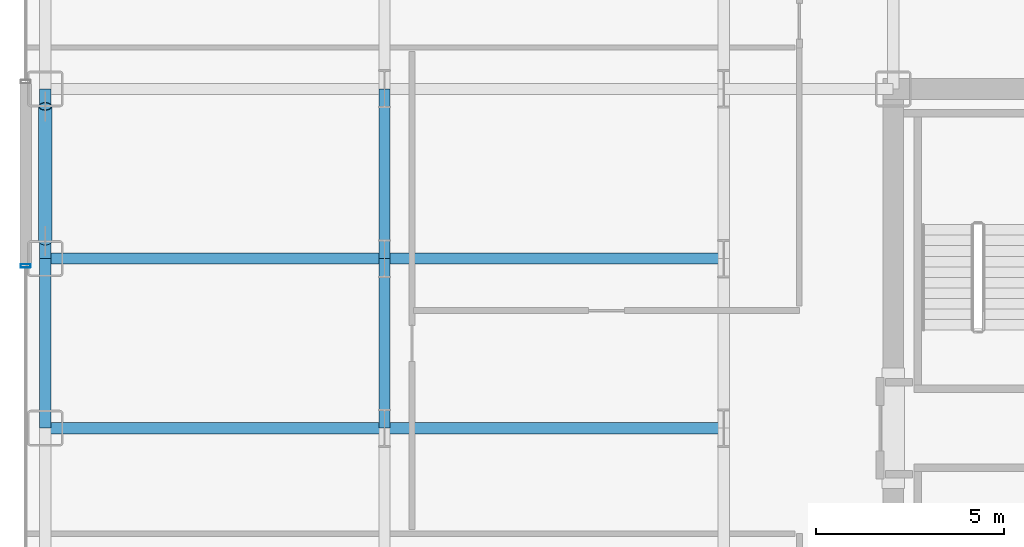
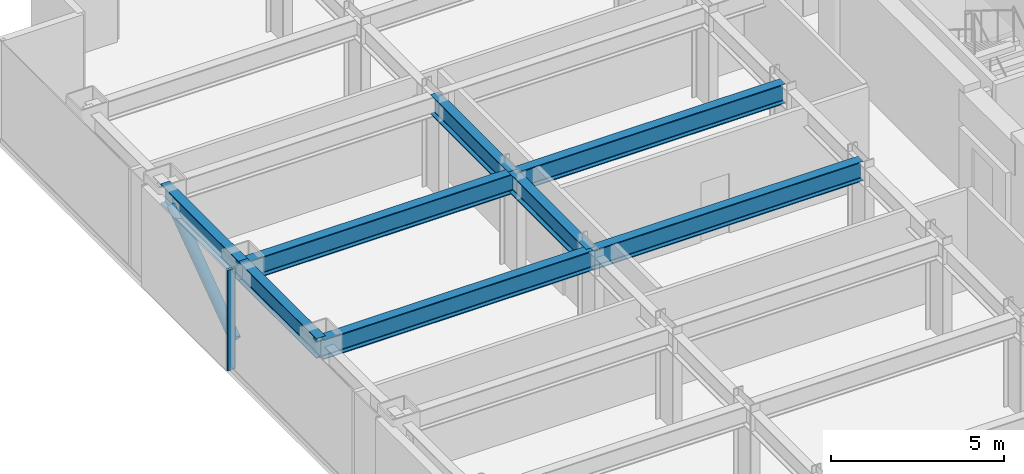
# One storey, part 6 of 28: 8 beams, 2 members, 1 element without a shape of its own.
"""IFC4 building model written with IfcOpenShell, lengths in metres."""

import ifcopenshell
import ifcopenshell.guid

model = None  # the IFC model being written
_history = None  # IfcOwnerHistory: only IFC2X3 demands one
_inside = {}  # id of a spatial element -> (the spatial element, [elements in it])
_under = {}  # id of a project, library or spatial element -> (it, [spatial elements below it])
_declared = {}  # id of a project -> (the project, [libraries it declares])
_typed = {}  # id of a type object -> (the type object, [elements of that type])
_made_of = {}  # id of a material, layer set ... -> (it, [elements and type objects made of it])


def new_model(schema):
    """Start an empty IFC model of exactly this schema.

    Asked for "IFC4X3", IfcOpenShell would pick the latest addendum, in which some entities
    have other attributes; the version numbers below select the first issue.
    IFC2X3 requires an IfcOwnerHistory on every rooted entity: one is made here for all.
    """
    global model, _history
    if schema == "IFC4X3":
        model = ifcopenshell.file(schema_version=(4, 3, 0, 0))
    else:
        model = ifcopenshell.file(schema=schema)
    _inside.clear()
    _under.clear()
    _declared.clear()
    _typed.clear()
    _made_of.clear()
    _history = None
    if model.schema == "IFC2X3":
        org = make("IfcOrganization", Name="unknown")
        user = make(
            "IfcPersonAndOrganization",
            ThePerson=make("IfcPerson", FamilyName="unknown"),
            TheOrganization=org,
        )
        app = make(
            "IfcApplication",
            ApplicationDeveloper=org,
            Version="unknown",
            ApplicationFullName="unknown",
            ApplicationIdentifier="unknown",
        )
        _history = make(
            "IfcOwnerHistory",
            OwningUser=user,
            OwningApplication=app,
            ChangeAction="ADDED",
            CreationDate=0,
        )
    return model


def make(cls, **values):
    """One entity of the class cls with the attributes given. An attribute that is None is left unset."""
    return model.create_entity(
        cls, **{name: value for name, value in values.items() if value is not None}
    )


def rooted(cls, **values):
    """An entity with a GlobalId (a new one), such as an element, a storey or a relation."""
    return make(cls, GlobalId=ifcopenshell.guid.new(), OwnerHistory=_history, **values)


def si_unit(unit_type, name, prefix=None):
    """IfcSIUnit, for example si_unit("LENGTHUNIT", "METRE", prefix="MILLI")."""
    return make("IfcSIUnit", UnitType=unit_type, Prefix=prefix, Name=name)


def assignment(units):
    """IfcUnitAssignment: the units of a project."""
    return None if units is None else make("IfcUnitAssignment", Units=units)


def point(xyz):
    """IfcCartesianPoint."""
    return None if xyz is None else make("IfcCartesianPoint", Coordinates=xyz)


def direction(xyz):
    """IfcDirection."""
    return None if xyz is None else make("IfcDirection", DirectionRatios=xyz)


def frame(location, z_axis=None, x_axis=None):
    """IfcAxis2Placement3D, a coordinate frame: its origin and axes. An axis left out is left unset."""
    return make(
        "IfcAxis2Placement3D",
        Location=point(location),
        Axis=direction(z_axis),
        RefDirection=direction(x_axis),
    )


def frame_2d(location, x_axis=None):
    """IfcAxis2Placement2D, a coordinate frame in the plane: its origin and x axis."""
    return make(
        "IfcAxis2Placement2D", Location=point(location), RefDirection=direction(x_axis)
    )


def origin():
    """The frame at (0, 0, 0) with its axes left unset."""
    return frame((0.0, 0.0, 0.0))


def origin_2d():
    """The frame at (0, 0) in the plane with its x axis left unset."""
    return frame_2d((0.0, 0.0))


def place(relative_to, where):
    """IfcLocalPlacement: puts the frame where relative to a parent placement (None: the world)."""
    return make(
        "IfcLocalPlacement", PlacementRelTo=relative_to, RelativePlacement=where
    )


def context(
    kind, dimensions, precision=None, world=None, true_north=None, identifier=None
):
    """IfcGeometricRepresentationContext, for example the 3D "Model" context."""
    return make(
        "IfcGeometricRepresentationContext",
        ContextIdentifier=identifier,
        ContextType=kind,
        CoordinateSpaceDimension=dimensions,
        Precision=precision,
        WorldCoordinateSystem=world,
        TrueNorth=true_north,
    )


def subcontext(parent, identifier, kind, view, scale=None):
    """IfcGeometricRepresentationSubContext, for example "Body" below "Model"."""
    return make(
        "IfcGeometricRepresentationSubContext",
        ContextIdentifier=identifier,
        ContextType=kind,
        ParentContext=parent,
        TargetScale=scale,
        TargetView=view,
    )


def project(units=None, contexts=None):
    """IfcProject with its units and contexts."""
    return rooted(
        "IfcProject",
        Name="project",
        RepresentationContexts=contexts,
        UnitsInContext=assignment(units),
    )


def spatial(cls, under=None, at=None, **own):
    """A site, building, storey or space (cls), placed at a placement, below another one or the project."""
    s = rooted(cls, ObjectPlacement=at, **own)
    if under is not None:
        _under.setdefault(under.id(), (under, []))[1].append(s)
    return s


def profile(cls, at=None, kind="AREA", **sizes):
    """A parametric profile (cls). Its sizes go by their IFC names, for example OverallWidth=200.0."""
    return make(cls, ProfileType=kind, Position=at, **sizes)


def hollow_rectangle(**sizes):
    """IfcRectangleHollowProfileDef."""
    return profile("IfcRectangleHollowProfileDef", **sizes)


def hollow_circle(**sizes):
    """IfcCircleHollowProfileDef."""
    return profile("IfcCircleHollowProfileDef", **sizes)


def i_section(**sizes):
    """IfcIShapeProfileDef."""
    return profile("IfcIShapeProfileDef", **sizes)


def extrude(swept, where, along, depth):
    """IfcExtrudedAreaSolid: the profile swept, set in the frame where, extruded along a direction by depth."""
    return make(
        "IfcExtrudedAreaSolid",
        SweptArea=swept,
        Position=where,
        ExtrudedDirection=direction(along),
        Depth=depth,
    )


def shape(context_of_items, identifier, shape_type, items):
    """IfcShapeRepresentation: the items that make up one representation, for example the "Body"."""
    return make(
        "IfcShapeRepresentation",
        ContextOfItems=context_of_items,
        RepresentationIdentifier=identifier,
        RepresentationType=shape_type,
        Items=items,
    )


def source(mapping_origin, context_of_items, identifier, shape_type, items):
    """IfcRepresentationMap: a shape defined once, which mapped items show again and again."""
    return make(
        "IfcRepresentationMap",
        MappingOrigin=mapping_origin,
        MappedRepresentation=shape(context_of_items, identifier, shape_type, items),
    )


def transform(
    local_origin,
    x_axis=None,
    y_axis=None,
    z_axis=None,
    scale=None,
    scale2=None,
    scale3=None,
    uniform=True,
):
    """IfcCartesianTransformationOperator3D, or its non-uniform kind. x_axis, y_axis, z_axis: its Axis1, 2, 3."""
    if uniform:
        return make(
            "IfcCartesianTransformationOperator3D",
            Axis1=direction(x_axis),
            Axis2=direction(y_axis),
            LocalOrigin=point(local_origin),
            Scale=scale,
            Axis3=direction(z_axis),
        )
    return make(
        "IfcCartesianTransformationOperator3DnonUniform",
        Axis1=direction(x_axis),
        Axis2=direction(y_axis),
        LocalOrigin=point(local_origin),
        Scale=scale,
        Axis3=direction(z_axis),
        Scale2=scale2,
        Scale3=scale3,
    )


def mapped(mapping_source, mapping_target):
    """IfcMappedItem: shows the shape of a source again, moved by a transform."""
    return make(
        "IfcMappedItem", MappingSource=mapping_source, MappingTarget=mapping_target
    )


def material(Name=None, Category=None):
    """IfcMaterial."""
    return make("IfcMaterial", Name=Name, Category=Category)


def layer(
    of_material, thickness, ventilated=None, Name=None, Category=None, Priority=None
):
    """IfcMaterialLayer: one layer of a wall or slab, of a material (None: an air gap)."""
    return make(
        "IfcMaterialLayer",
        Material=of_material,
        LayerThickness=thickness,
        IsVentilated=ventilated,
        Name=Name,
        Category=Category,
        Priority=Priority,
    )


def layer_set(layers, Name=None):
    """IfcMaterialLayerSet."""
    return make("IfcMaterialLayerSet", MaterialLayers=layers, LayerSetName=Name)


def material_profile(
    of_material, cross_section, Name=None, Category=None, Priority=None
):
    """IfcMaterialProfile: a cross section and its material."""
    return make(
        "IfcMaterialProfile",
        Name=Name,
        Material=of_material,
        Profile=cross_section,
        Priority=Priority,
        Category=Category,
    )


def profile_set(profiles, Name=None, composite=None):
    """IfcMaterialProfileSet."""
    return make(
        "IfcMaterialProfileSet",
        Name=Name,
        MaterialProfiles=profiles,
        CompositeProfile=composite,
    )


def made_of(thing, what):
    """Note that an element or type object is made of a material, layer set ...; save() writes the relation."""
    if what is not None:
        _made_of.setdefault(what.id(), (what, []))[1].append(thing)
    return thing


def type_object(cls, material=None, **own):
    """A type object (cls), such as IfcWallType, which elements share."""
    return made_of(rooted(cls, **own), material)


def element(
    cls,
    number,
    at=None,
    inside=None,
    cuts=None,
    type_object=None,
    material=None,
    context=None,
    identifier="Body",
    shape_type=None,
    held_by="IfcProductDefinitionShape",
    body=None,
    shapes=None,
    **own,
):
    """One element of the class cls, such as IfcWall. Its Tag is "e" and its number.

    at: its placement. inside: the storey or other place that contains it. cuts: it is an
    opening in that element (IfcRelVoidsElement). A single representation is given by context,
    identifier, shape_type and body (its items); several are given by shapes. held_by: the class
    of the entity that holds the representations. save() writes the other relations.
    """
    e = rooted(cls, Tag="e%d" % number, ObjectPlacement=at, **own)
    if body is not None:
        shapes = [shape(context, identifier, shape_type, body)]
    if shapes is not None:
        e.Representation = make(held_by, Representations=shapes)
    if inside is not None:
        _inside.setdefault(inside.id(), (inside, []))[1].append(e)
    if cuts is not None:
        rooted(
            "IfcRelVoidsElement", RelatingBuildingElement=cuts, RelatedOpeningElement=e
        )
    if type_object is not None:
        _typed.setdefault(type_object.id(), (type_object, []))[1].append(e)
    return made_of(e, material)


def aggregate(whole, parts):
    """IfcRelAggregates: a whole, such as a stair, and the parts it consists of."""
    return rooted("IfcRelAggregates", RelatingObject=whole, RelatedObjects=parts)


def save(model, path):
    """Write the relations noted so far, then the file.

    IfcRelAggregates (storeys below a building ...), IfcRelContainedInSpatialStructure (elements
    in a storey), IfcRelDefinesByType, IfcRelAssociatesMaterial and IfcRelDeclares: one each for
    every whole, place, type object, material and project.
    """
    for whole, parts in _under.values():
        aggregate(whole, parts)
    for where, things in _inside.values():
        rooted(
            "IfcRelContainedInSpatialStructure",
            RelatedElements=things,
            RelatingStructure=where,
        )
    for kind, things in _typed.values():
        rooted("IfcRelDefinesByType", RelatedObjects=things, RelatingType=kind)
    for what, things in _made_of.values():
        rooted("IfcRelAssociatesMaterial", RelatedObjects=things, RelatingMaterial=what)
    for by, libraries in _declared.values():
        rooted("IfcRelDeclares", RelatingContext=by, RelatedDefinitions=libraries)
    model.write(path)


model = new_model("IFC4")

# Units and contexts
model_context = context("Model", 3, precision=1e-05, world=origin(), true_north=direction((0.0, 1.0)))
body_context = subcontext(model_context, "Body", "Model", "MODEL_VIEW")
ifc_project = project(units=[si_unit("LENGTHUNIT", "METRE"), si_unit("AREAUNIT", "SQUARE_METRE"), si_unit("VOLUMEUNIT", "CUBIC_METRE"), si_unit("PLANEANGLEUNIT", "RADIAN"), si_unit("MASSUNIT", "GRAM", prefix="KILO")], contexts=[model_context])

# Site, building, storey
site_placement = place(None, origin())
site = spatial("IfcSite", under=ifc_project, at=site_placement, CompositionType="ELEMENT")
building_placement = place(site_placement, origin())
building = spatial("IfcBuilding", under=site, at=building_placement, Name="Nefas-Gora Pilgrimage Tower", CompositionType="ELEMENT")
storey_placement = place(building_placement, frame((0.0, 0.0, 102.199951171875)))
storey = spatial("IfcBuildingStorey", under=building, at=storey_placement, Name="L24", CompositionType="ELEMENT", Elevation=102.199951171875)

# Beams
ifc_material_1 = material(Name="Steel S355", Category="steel")
ifc_material_profile_1 = material_profile(ifc_material_1, i_section(OverallWidth=0.300048828125, OverallDepth=0.699951171875, WebThickness=0.01708984375, FlangeThickness=0.031982421875, FilletRadius=0.027099609375, at=origin_2d()), Name="HEB 700")
ifc_profile_set_1 = profile_set([ifc_material_profile_1], Name="Steel S355")
beam_type_1 = type_object("IfcBeamType", Name="BM-SPN-HEB600", PredefinedType="SPANDREL", material=ifc_profile_set_1)
shared_shape_1 = source(origin(), body_context, "Body", "SweptSolid", [
    extrude(i_section(OverallWidth=0.300048828125, OverallDepth=0.699951171875, WebThickness=0.01708984375, FlangeThickness=0.031982421875, FilletRadius=0.027099609375, at=origin_2d()), origin(), (0.0, 0.0, 1.0), 4.5),
])
for number, where, z_axis, x_axis, name in (
    (1, (-33.75, 0.0, 3.199951171875), (0.0, 1.0, 0.0), (-1.0, 0.0, 0.0), "L24 SP-01 beam"),
    (2, (-33.75, 4.5, 3.199951171875), (0.0, 1.0, 0.0), (-1.0, 0.0, 0.0), "L24 SP-01 beam"),
):
    element("IfcBeam", number, at=place(storey_placement, frame(where, z_axis=z_axis, x_axis=x_axis)), inside=storey, type_object=beam_type_1, Name=name, PredefinedType="SPANDREL", context=body_context, shape_type="MappedRepresentation", body=[
        mapped(shared_shape_1, transform((0.0, 0.0, 0.0), x_axis=(1.0, 0.0, 0.0), y_axis=(0.0, 1.0, 0.0), z_axis=(0.0, 0.0, 1.0), scale=1.0)),
    ])
ifc_material_profile_2 = material_profile(ifc_material_1, i_section(OverallWidth=0.300048828125, OverallDepth=0.699951171875, WebThickness=0.01708984375, FlangeThickness=0.031982421875, FilletRadius=0.027099609375, at=origin_2d()), Name="HEB 700")
ifc_profile_set_2 = profile_set([ifc_material_profile_2], Name="Steel S355")
beam_type_2 = type_object("IfcBeamType", Name="BM-GIR-HEB700", PredefinedType="BEAM", material=ifc_profile_set_2)
shared_shape_2 = source(origin(), body_context, "Body", "SweptSolid", [
    extrude(i_section(OverallWidth=0.300048828125, OverallDepth=0.699951171875, WebThickness=0.01708984375, FlangeThickness=0.031982421875, FilletRadius=0.027099609375, at=origin_2d()), origin(), (0.0, 0.0, 1.0), 9.0),
])
for number, where, z_axis, x_axis, name in (
    (3, (-33.75, 0.0, 3.199951171875), (1.0, 0.0, 0.0), (0.0, 1.0, 0.0), "L24 G-02 beam"),
    (4, (-33.75, 4.5, 3.199951171875), (1.0, 0.0, 0.0), (0.0, 1.0, 0.0), "L24 G-02 beam"),
    (5, (-24.75, 0.0, 3.199951171875), (1.0, 0.0, 0.0), (0.0, 1.0, 0.0), "L24 G-02 beam"),
    (6, (-24.75, 4.5, 3.199951171875), (1.0, 0.0, 0.0), (0.0, 1.0, 0.0), "L24 G-02 beam"),
):
    element("IfcBeam", number, at=place(storey_placement, frame(where, z_axis=z_axis, x_axis=x_axis)), inside=storey, type_object=beam_type_2, Name=name, PredefinedType="BEAM", context=body_context, shape_type="MappedRepresentation", body=[
        mapped(shared_shape_2, transform((0.0, 0.0, 0.0), x_axis=(1.0, 0.0, 0.0), y_axis=(0.0, 1.0, 0.0), z_axis=(0.0, 0.0, 1.0), scale=1.0)),
    ])
shared_shape_3 = source(origin(), body_context, "Body", "SweptSolid", [
    extrude(i_section(OverallWidth=0.300048828125, OverallDepth=0.699951171875, WebThickness=0.01708984375, FlangeThickness=0.031982421875, FilletRadius=0.027099609375, at=origin_2d()), origin(), (0.0, 0.0, 1.0), 4.5),
])
for number, where, z_axis, x_axis, name in (
    (7, (-24.75, 0.0, 3.199951171875), (0.0, 1.0, 0.0), (-1.0, 0.0, 0.0), "L24 G-02 beam"),
    (8, (-24.75, 4.5, 3.199951171875), (0.0, 1.0, 0.0), (-1.0, 0.0, 0.0), "L24 G-02 beam"),
):
    element("IfcBeam", number, at=place(storey_placement, frame(where, z_axis=z_axis, x_axis=x_axis)), inside=storey, type_object=beam_type_2, Name=name, PredefinedType="BEAM", context=body_context, shape_type="MappedRepresentation", body=[
        mapped(shared_shape_3, transform((0.0, 0.0, 0.0), x_axis=(1.0, 0.0, 0.0), y_axis=(0.0, 1.0, 0.0), z_axis=(0.0, 0.0, 1.0), scale=1.0)),
    ])

# Member
ifc_material_2 = material(Name="Steel S460", Category="steel")
ifc_material_profile_3 = material_profile(ifc_material_2, hollow_circle(Radius=0.177734375, WallThickness=0.02001953125, at=origin_2d()), Name="CHS 355.6x20")
ifc_profile_set_3 = profile_set([ifc_material_profile_3], Name="Steel S460")
member_type_1 = type_object("IfcMemberType", Name="MEM-TUBE-356", PredefinedType="BRACE", material=ifc_profile_set_3)
shared_shape_4 = source(origin(), body_context, "Body", "SweptSolid", [
    extrude(hollow_circle(Radius=0.177734375, WallThickness=0.02001953125, at=origin_2d()), origin(), (0.0, 0.0, 1.0), 4.39501953125),
])
member_1_placement = place(storey_placement, frame((-33.75, 4.962890625, 0.4814453125), z_axis=(0.0, 0.813264026864, 0.581894855287), x_axis=(-1.0, 0.0, 0.0)))
element("IfcMember", 9, at=member_1_placement, inside=storey, type_object=member_type_1, Name="L24 Perimeter Tube Diagonal Brace W2", PredefinedType="BRACE", context=body_context, shape_type="MappedRepresentation", body=[
    mapped(shared_shape_4, transform((0.0, 0.0, 0.0), x_axis=(1.0, 0.0, 0.0), y_axis=(0.0, 1.0, 0.0), z_axis=(0.0, 0.0, 1.0), scale=1.0)),
])

# Curtain wall, member
ifc_material_3 = material(Name="Dark ceramic-fritted solar-control aluminium-glass curtain wall", Category="aluminium")
ifc_layer = layer(ifc_material_3, 0.219970703125)
ifc_layer_set = layer_set([ifc_layer], Name="Dark ceramic-fritted solar-control aluminium-glass curtain wall")
curtain_wall_type = type_object("IfcCurtainWallType", Name="CW-SYS-2", PredefinedType="NOTDEFINED", material=ifc_layer_set)
curtain_wall_placement = place(storey_placement, origin())
curtain_wall = element("IfcCurtainWall", 10, at=curtain_wall_placement, inside=storey, type_object=curtain_wall_type, Name="L24 Unitised Curtain Wall CW2", PredefinedType="NOTDEFINED")
ifc_material_4 = material(Name="Anodised architectural aluminium", Category="aluminium")
ifc_material_profile_4 = material_profile(ifc_material_4, hollow_rectangle(XDim=0.090087890625, YDim=0.260009765625, WallThickness=0.006103515625, InnerFilletRadius=0.006103515625, OuterFilletRadius=0.011962890625, at=origin_2d()), Name="ALU MULLION 90x260")
ifc_profile_set_4 = profile_set([ifc_material_profile_4], Name="Anodised architectural aluminium")
member_type_2 = type_object("IfcMemberType", Name="CWM-MUL-2", PredefinedType="MULLION", material=ifc_profile_set_4)
shared_shape_5 = source(origin(), body_context, "Body", "SweptSolid", [
    extrude(hollow_rectangle(XDim=0.090087890625, YDim=0.260009765625, WallThickness=0.006103515625, InnerFilletRadius=0.006103515625, OuterFilletRadius=0.011962890625, at=origin_2d()), origin(), (0.0, 0.0, 1.0), 3.550048828125),
])
member_2_placement = place(storey_placement, frame((-34.27001953125, 4.304931640625, 0.0), z_axis=(0.0, 0.0, 1.0), x_axis=(0.0, -1.0, 0.0)))
member_2 = element("IfcMember", 11, at=member_2_placement, type_object=member_type_2, Name="CW2 Mullion 1", PredefinedType="MULLION", context=body_context, shape_type="MappedRepresentation", body=[
    mapped(shared_shape_5, transform((0.0, 0.0, 0.0), x_axis=(1.0, 0.0, 0.0), y_axis=(0.0, 1.0, 0.0), z_axis=(0.0, 0.0, 1.0), scale=1.0)),
])
aggregate(curtain_wall, [member_2])

save(model, "model.ifc")
